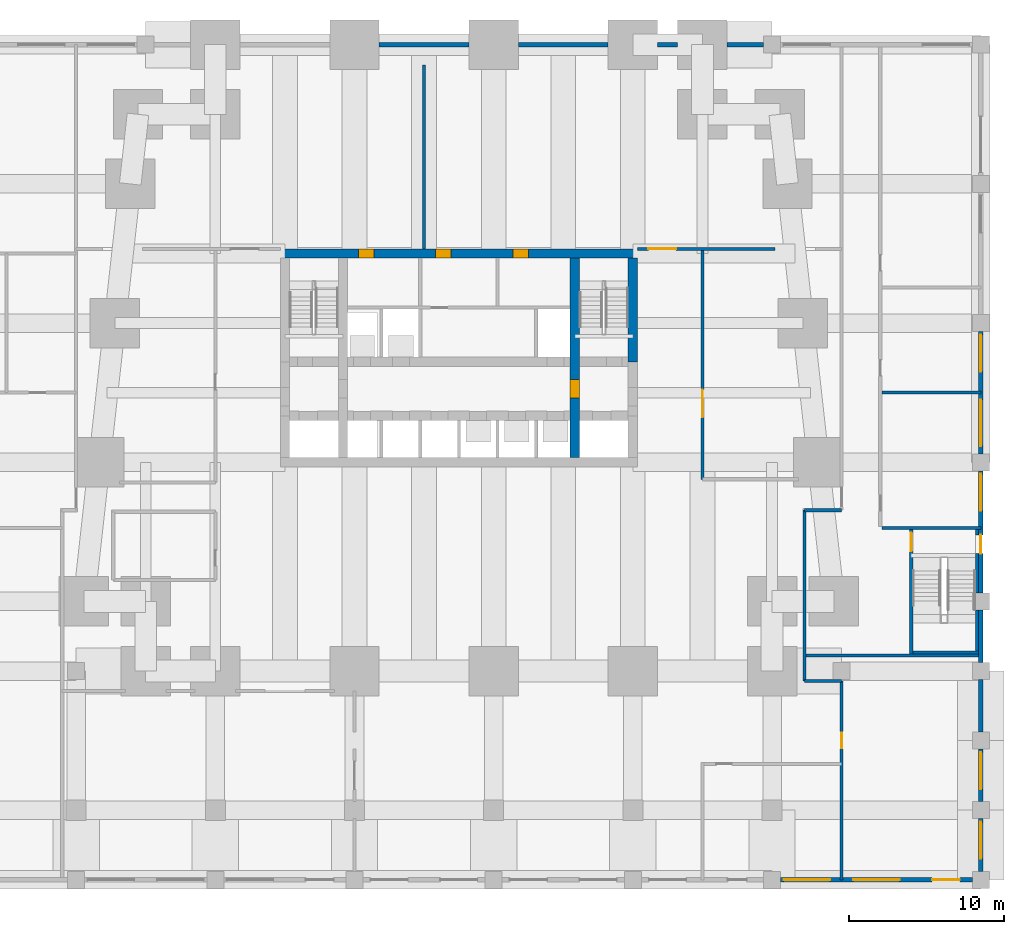
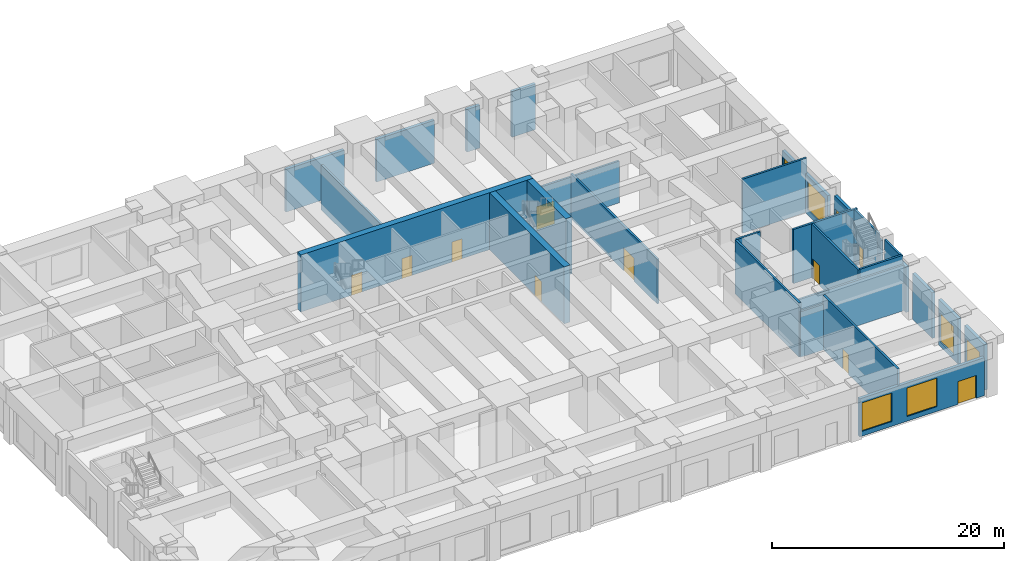
# One storey, part 6 of 13: 28 walls, 10 doors, 7 windows, 18 openings.
"""IFC4 building model written with IfcOpenShell, lengths in metres."""

from ifc_helpers import new_model, si_unit, direction, frame, frame_2d, origin, place, context, subcontext, project, spatial, rectangle, extrude, material, layer, layer_set, type_object, element, fill, save


model = new_model("IFC4")

# Units and contexts
model_context = context("Model", 3, precision=1e-05, world=origin(), true_north=direction((0.0, 1.0)))
body_context = subcontext(model_context, "Body", "Model", "MODEL_VIEW")
ifc_project = project(units=[si_unit("LENGTHUNIT", "METRE"), si_unit("AREAUNIT", "SQUARE_METRE"), si_unit("VOLUMEUNIT", "CUBIC_METRE"), si_unit("PLANEANGLEUNIT", "RADIAN"), si_unit("MASSUNIT", "GRAM", prefix="KILO")], contexts=[model_context])

# Site, building, storey
site_placement = place(None, origin())
site = spatial("IfcSite", under=ifc_project, at=site_placement, CompositionType="ELEMENT")
building_placement = place(site_placement, origin())
building = spatial("IfcBuilding", under=site, at=building_placement, Name="Kilele Tower Hotel", CompositionType="ELEMENT")
storey_placement = place(building_placement, origin())
storey = spatial("IfcBuildingStorey", under=building, at=storey_placement, Name="L00", CompositionType="ELEMENT", Elevation=0.0)

# Wall, openings, doors
ifc_material_1 = material(Name="Concrete C60/75", Category="concrete")
ifc_layer_1 = layer(ifc_material_1, 0.60009765625)
ifc_layer_set_1 = layer_set([ifc_layer_1], Name="Concrete C60/75")
wall_type_1 = type_object("IfcWallType", Name="Core wall 600 C60/75", PredefinedType="SHEAR", material=ifc_layer_set_1)
wall_1_placement = place(storey_placement, frame((36.300048828125, 27.0, 0.0), z_axis=(0.0, 0.0, 1.0), x_axis=(-1.0, 0.0, 0.0)))
wall_1 = element("IfcWall", 1, at=wall_1_placement, inside=storey, type_object=wall_type_1, Name="Core wall N L00", PredefinedType="SHEAR", context=body_context, shape_type="SweptSolid", body=[
    extrude(rectangle(XDim=23.10009765625, YDim=0.60009765625, at=frame_2d((11.550048828125, 0.0))), origin(), (0.0, 0.0, 1.0), 6.0),
])
opening_1_placement = place(wall_1_placement, frame((17.050048828125, 0.0, 0.0)))
opening_1 = element("IfcOpeningElement", 2, at=opening_1_placement, cuts=wall_1, Name="Opening D6", PredefinedType="OPENING", context=body_context, shape_type="SweptSolid", body=[
    extrude(rectangle(XDim=1.0, YDim=2.10009765625, at=frame_2d((0.5, 1.050048828125))), frame((0.0, 0.31005859375, 0.0), z_axis=(0.0, -1.0, 0.0), x_axis=(1.0, 0.0, 0.0)), (0.0, 0.0, 1.0), 0.6201171875),
])
opening_2_placement = place(wall_1_placement, frame((13.050048828125, 0.0, 0.0), z_axis=(0.0, 0.0, 1.0), x_axis=(-1.0, 0.0, 0.0)))
opening_2 = element("IfcOpeningElement", 3, at=opening_2_placement, cuts=wall_1, Name="Opening D6", PredefinedType="OPENING", context=body_context, shape_type="SweptSolid", body=[
    extrude(rectangle(XDim=1.0, YDim=2.10009765625, at=frame_2d((0.5, 1.050048828125))), frame((0.0, 0.31005859375, 0.0), z_axis=(0.0, -1.0, 0.0), x_axis=(1.0, 0.0, 0.0)), (0.0, 0.0, 1.0), 0.6201171875),
])
opening_3_placement = place(wall_1_placement, frame((7.050048828125, 0.0, 0.0)))
opening_3 = element("IfcOpeningElement", 4, at=opening_3_placement, cuts=wall_1, Name="Opening D6", PredefinedType="OPENING", context=body_context, shape_type="SweptSolid", body=[
    extrude(rectangle(XDim=1.0, YDim=2.10009765625, at=frame_2d((0.5, 1.050048828125))), frame((0.0, 0.31005859375, 0.0), z_axis=(0.0, -1.0, 0.0), x_axis=(1.0, 0.0, 0.0)), (0.0, 0.0, 1.0), 0.6201171875),
])
ifc_material_2 = material(Name="Timber door leaf in hardwood frame", Category="wood")
door_type_1 = type_object("IfcDoorType", Name="Riser door 1000", OperationType="SINGLE_SWING_LEFT", PredefinedType="DOOR", material=ifc_material_2)
door_1_placement = place(opening_1_placement, origin())
door_1 = element("IfcDoor", 5, at=door_1_placement, inside=storey, type_object=door_type_1, Name="Service riser door L00", OperationType="SINGLE_SWING_RIGHT", OverallHeight=2.10009765625, OverallWidth=1.0, PredefinedType="DOOR", context=body_context, shape_type="SweptSolid", body=[
    extrude(rectangle(XDim=1.0, YDim=2.10009765625, at=frame_2d((0.5, 1.050048828125))), frame((0.0, 0.2998046875, 0.0), z_axis=(0.0, -1.0, 0.0), x_axis=(1.0, 0.0, 0.0)), (0.0, 0.0, 1.0), 0.599609375),
])
fill(opening_1, door_1)
door_2_placement = place(opening_2_placement, origin())
door_2 = element("IfcDoor", 6, at=door_2_placement, inside=storey, type_object=door_type_1, Name="Housekeeping store door L00", OperationType="SINGLE_SWING_LEFT", OverallHeight=2.10009765625, OverallWidth=1.0, PredefinedType="DOOR", context=body_context, shape_type="SweptSolid", body=[
    extrude(rectangle(XDim=1.0, YDim=2.10009765625, at=frame_2d((0.5, 1.050048828125))), frame((0.0, 0.2998046875, 0.0), z_axis=(0.0, -1.0, 0.0), x_axis=(1.0, 0.0, 0.0)), (0.0, 0.0, 1.0), 0.599609375),
])
fill(opening_2, door_2)
door_3_placement = place(opening_3_placement, origin())
door_3 = element("IfcDoor", 7, at=door_3_placement, inside=storey, type_object=door_type_1, Name="Electrical riser door L00", OperationType="SINGLE_SWING_RIGHT", OverallHeight=2.10009765625, OverallWidth=1.0, PredefinedType="DOOR", context=body_context, shape_type="SweptSolid", body=[
    extrude(rectangle(XDim=1.0, YDim=2.10009765625, at=frame_2d((0.5, 1.050048828125))), frame((0.0, 0.2998046875, 0.0), z_axis=(0.0, -1.0, 0.0), x_axis=(1.0, 0.0, 0.0)), (0.0, 0.0, 1.0), 0.599609375),
])
fill(opening_3, door_3)

# Wall, opening, door
wall_2_placement = place(storey_placement, frame((32.25, 13.800048828125, 0.0), z_axis=(0.0, 0.0, 1.0), x_axis=(0.0, 1.0, 0.0)))
wall_2 = element("IfcWall", 8, at=wall_2_placement, inside=storey, type_object=wall_type_1, Name="Core wall IE L00", PredefinedType="SHEAR", context=body_context, shape_type="SweptSolid", body=[
    extrude(rectangle(XDim=12.89990234375, YDim=0.60009765625, at=frame_2d((6.449951171875, 0.0))), origin(), (0.0, 0.0, 1.0), 6.0),
])
opening_4_placement = place(wall_2_placement, frame((5.050048828125, 0.0, 0.0), z_axis=(0.0, 0.0, 1.0), x_axis=(-1.0, 0.0, 0.0)))
opening_4 = element("IfcOpeningElement", 9, at=opening_4_placement, cuts=wall_2, Name="Opening D4", PredefinedType="OPENING", context=body_context, shape_type="SweptSolid", body=[
    extrude(rectangle(XDim=1.199951171875, YDim=2.10009765625, at=frame_2d((0.60009765625, 1.050048828125))), frame((0.0, 0.31005859375, 0.0), z_axis=(0.0, -1.0, 0.0), x_axis=(1.0, 0.0, 0.0)), (0.0, 0.0, 1.0), 0.6201171875),
])
ifc_material_3 = material(Name="Timber door leaf in hardwood frame", Category="wood")
door_type_2 = type_object("IfcDoorType", Name="Firefighting lobby door 1200", OperationType="SINGLE_SWING_LEFT", PredefinedType="DOOR", material=ifc_material_3)
door_4_placement = place(opening_4_placement, origin())
door_4 = element("IfcDoor", 10, at=door_4_placement, inside=storey, type_object=door_type_2, Name="Lobby door L00", OperationType="SINGLE_SWING_RIGHT", OverallHeight=2.10009765625, OverallWidth=1.199951171875, PredefinedType="DOOR", context=body_context, shape_type="SweptSolid", body=[
    extrude(rectangle(XDim=1.199951171875, YDim=2.10009765625, at=frame_2d((0.60009765625, 1.050048828125))), frame((0.0, 0.2998046875, 0.0), z_axis=(0.0, -1.0, 0.0), x_axis=(1.0, 0.0, 0.0)), (0.0, 0.0, 1.0), 0.599609375),
])
fill(opening_4, door_4)

# Wall
wall_3_placement = place(storey_placement, frame((36.0, 20.0, 0.0), z_axis=(0.0, 0.0, 1.0), x_axis=(0.0, 1.0, 0.0)))
element("IfcWall", 11, at=wall_3_placement, inside=storey, type_object=wall_type_1, Name="Core wall E3 L00", PredefinedType="SHEAR", context=body_context, shape_type="SweptSolid", body=[
    extrude(rectangle(XDim=6.699951171875, YDim=0.60009765625, at=frame_2d((3.35009765625, 0.0))), origin(), (0.0, 0.0, 1.0), 6.0),
])

# Wall, opening, door
ifc_material_4 = material(Name="Blockwork, plastered both sides", Category="masonry")
ifc_layer_2 = layer(ifc_material_4, 0.199951171875)
ifc_layer_set_2 = layer_set([ifc_layer_2], Name="Blockwork, plastered both sides")
wall_type_2 = type_object("IfcWallType", Name="Partition wall 200", PredefinedType="PARTITIONING", material=ifc_layer_set_2)
wall_4_placement = place(storey_placement, frame((49.5, -13.5, 0.0), z_axis=(0.0, 0.0, 1.0), x_axis=(0.0, 1.0, 0.0)))
wall_4 = element("IfcWall", 12, at=wall_4_placement, inside=storey, type_object=wall_type_2, Name="Partition wall 200 L00", PredefinedType="PARTITIONING", context=body_context, shape_type="SweptSolid", body=[
    extrude(rectangle(XDim=12.85009765625, YDim=0.199951171875, at=frame_2d((6.425048828125, 0.0))), origin(), (0.0, 0.0, 1.0), 5.699951171875),
])
opening_5_placement = place(wall_4_placement, frame((9.5, 0.0, 0.0), z_axis=(0.0, 0.0, 1.0), x_axis=(-1.0, 0.0, 0.0)))
opening_5 = element("IfcOpeningElement", 13, at=opening_5_placement, cuts=wall_4, Name="Opening D8", PredefinedType="OPENING", context=body_context, shape_type="SweptSolid", body=[
    extrude(rectangle(XDim=1.0, YDim=2.10009765625, at=frame_2d((0.5, 1.050048828125))), frame((0.0, 0.10986328125, 0.0), z_axis=(0.0, -1.0, 0.0), x_axis=(1.0, 0.0, 0.0)), (0.0, 0.0, 1.0), 0.219970703125),
])
ifc_material_5 = material(Name="Timber door leaf in hardwood frame", Category="wood")
door_type_3 = type_object("IfcDoorType", Name="Door 1000", OperationType="SINGLE_SWING_LEFT", PredefinedType="DOOR", material=ifc_material_5)
door_5_placement = place(opening_5_placement, origin())
door_5 = element("IfcDoor", 14, at=door_5_placement, inside=storey, type_object=door_type_3, Name="Door retail shop", OperationType="SINGLE_SWING_LEFT", OverallHeight=2.10009765625, OverallWidth=1.0, PredefinedType="DOOR", context=body_context, shape_type="SweptSolid", body=[
    extrude(rectangle(XDim=1.0, YDim=2.10009765625, at=frame_2d((0.5, 1.050048828125))), frame((0.0, 0.02490234375, 0.0), z_axis=(0.0, -1.0, 0.0), x_axis=(1.0, 0.0, 0.0)), (0.0, 0.0, 1.0), 0.050048828125),
])
fill(opening_5, door_5)

# Walls
wall_5_placement = place(storey_placement, frame((47.10009765625, -0.64990234375, 0.0), z_axis=(0.0, 0.0, 1.0), x_axis=(1.0, 0.0, 0.0)))
element("IfcWall", 15, at=wall_5_placement, inside=storey, type_object=wall_type_2, Name="Partition wall 200 L00", PredefinedType="PARTITIONING", context=body_context, shape_type="SweptSolid", body=[
    extrude(rectangle(XDim=2.39990234375, YDim=0.199951171875, at=frame_2d((1.199951171875, 0.0))), origin(), (0.0, 0.0, 1.0), 4.800048828125),
])
wall_6_placement = place(storey_placement, frame((47.10009765625, -0.64990234375, 0.0), z_axis=(0.0, 0.0, 1.0), x_axis=(0.0, 1.0, 0.0)))
element("IfcWall", 16, at=wall_6_placement, inside=storey, type_object=wall_type_2, Name="Partition wall 200 L00", PredefinedType="PARTITIONING", context=body_context, shape_type="SweptSolid", body=[
    extrude(rectangle(XDim=11.0498046875, YDim=0.199951171875, at=frame_2d((5.52490234375, 0.0))), origin(), (0.0, 0.0, 1.0), 5.699951171875),
])
wall_7_placement = place(storey_placement, frame((47.10009765625, 10.39990234375, 0.0), z_axis=(0.0, 0.0, 1.0), x_axis=(1.0, 0.0, 0.0)))
element("IfcWall", 17, at=wall_7_placement, inside=storey, type_object=wall_type_2, Name="Partition wall 200 L00", PredefinedType="PARTITIONING", context=body_context, shape_type="SweptSolid", body=[
    extrude(rectangle(XDim=2.39990234375, YDim=0.199951171875, at=frame_2d((1.199951171875, 0.0))), origin(), (0.0, 0.0, 1.0), 5.699951171875),
])

# Wall, opening, door
wall_8_placement = place(storey_placement, frame((36.300048828125, 27.300048828125, 0.0), z_axis=(0.0, 0.0, 1.0), x_axis=(1.0, 0.0, 0.0)))
wall_8 = element("IfcWall", 18, at=wall_8_placement, inside=storey, type_object=wall_type_2, Name="Partition wall 200 L00", PredefinedType="PARTITIONING", context=body_context, shape_type="SweptSolid", body=[
    extrude(rectangle(XDim=8.89990234375, YDim=0.199951171875, at=frame_2d((4.449951171875, 0.0))), origin(), (0.0, 0.0, 1.0), 4.39990234375),
])
opening_6_placement = place(wall_8_placement, frame((2.5, 0.0, 0.0), z_axis=(0.0, 0.0, 1.0), x_axis=(-1.0, 0.0, 0.0)))
opening_6 = element("IfcOpeningElement", 19, at=opening_6_placement, cuts=wall_8, Name="Opening D9", PredefinedType="OPENING", context=body_context, shape_type="SweptSolid", body=[
    extrude(rectangle(XDim=1.800048828125, YDim=2.39990234375, at=frame_2d((0.89990234375, 1.199951171875))), frame((0.0, 0.10986328125, 0.0), z_axis=(0.0, -1.0, 0.0), x_axis=(1.0, 0.0, 0.0)), (0.0, 0.0, 1.0), 0.219970703125),
])
ifc_material_6 = material(Name="Timber door leaf in hardwood frame", Category="wood")
door_type_4 = type_object("IfcDoorType", Name="Double door 1800", OperationType="DOUBLE_DOOR_SINGLE_SWING", PredefinedType="DOOR", material=ifc_material_6)
door_6_placement = place(opening_6_placement, origin())
door_6 = element("IfcDoor", 20, at=door_6_placement, inside=storey, type_object=door_type_4, Name="Door tea lounge", OperationType="DOUBLE_DOOR_SINGLE_SWING", OverallHeight=2.39990234375, OverallWidth=1.800048828125, PredefinedType="DOOR", context=body_context, shape_type="SweptSolid", body=[
    extrude(rectangle(XDim=1.800048828125, YDim=2.39990234375, at=frame_2d((0.89990234375, 1.199951171875))), frame((0.0, 0.02490234375, 0.0), z_axis=(0.0, -1.0, 0.0), x_axis=(1.0, 0.0, 0.0)), (0.0, 0.0, 1.0), 0.050048828125),
])
fill(opening_6, door_6)

# Wall
wall_9_placement = place(storey_placement, frame((22.5, 27.300048828125, 0.0), z_axis=(0.0, 0.0, 1.0), x_axis=(0.0, 1.0, 0.0)))
element("IfcWall", 21, at=wall_9_placement, inside=storey, type_object=wall_type_2, Name="Partition wall 200 L00", PredefinedType="PARTITIONING", context=body_context, shape_type="SweptSolid", body=[
    extrude(rectangle(XDim=11.89990234375, YDim=0.199951171875, at=frame_2d((5.949951171875, 0.0))), origin(), (0.0, 0.0, 1.0), 4.699951171875),
])

# Wall, opening, door
wall_10_placement = place(storey_placement, frame((40.5, 12.39990234375, 0.0), z_axis=(0.0, 0.0, 1.0), x_axis=(0.0, 1.0, 0.0)))
wall_10 = element("IfcWall", 22, at=wall_10_placement, inside=storey, type_object=wall_type_2, Name="Partition wall 200 L00", PredefinedType="PARTITIONING", context=body_context, shape_type="SweptSolid", body=[
    extrude(rectangle(XDim=14.900146484375, YDim=0.199951171875, at=frame_2d((7.4501953125, 0.0))), origin(), (0.0, 0.0, 1.0), 4.699951171875),
])
opening_7_placement = place(wall_10_placement, frame((4.0, 0.0, 0.0)))
opening_7 = element("IfcOpeningElement", 23, at=opening_7_placement, cuts=wall_10, Name="Opening D9", PredefinedType="OPENING", context=body_context, shape_type="SweptSolid", body=[
    extrude(rectangle(XDim=1.800048828125, YDim=2.39990234375, at=frame_2d((0.89990234375, 1.199951171875))), frame((0.0, 0.10986328125, 0.0), z_axis=(0.0, -1.0, 0.0), x_axis=(1.0, 0.0, 0.0)), (0.0, 0.0, 1.0), 0.219970703125),
])
door_7_placement = place(opening_7_placement, origin())
door_7 = element("IfcDoor", 24, at=door_7_placement, inside=storey, type_object=door_type_4, Name="Door wine bar", OperationType="DOUBLE_DOOR_SINGLE_SWING", OverallHeight=2.39990234375, OverallWidth=1.800048828125, PredefinedType="DOOR", context=body_context, shape_type="SweptSolid", body=[
    extrude(rectangle(XDim=1.800048828125, YDim=2.39990234375, at=frame_2d((0.89990234375, 1.199951171875))), frame((0.0, 0.02490234375, 0.0), z_axis=(0.0, -1.0, 0.0), x_axis=(1.0, 0.0, 0.0)), (0.0, 0.0, 1.0), 0.050048828125),
])
fill(opening_7, door_7)

# Walls
wall_11_placement = place(storey_placement, frame((47.10009765625, 1.0, 0.0), z_axis=(0.0, 0.0, 1.0), x_axis=(1.0, 0.0, 0.0)))
element("IfcWall", 25, at=wall_11_placement, inside=storey, type_object=wall_type_2, Name="Partition wall 200 L00", PredefinedType="PARTITIONING", context=body_context, shape_type="SweptSolid", body=[
    extrude(rectangle(XDim=11.39990234375, YDim=0.199951171875, at=frame_2d((5.699951171875, 0.0))), origin(), (0.0, 0.0, 1.0), 4.800048828125),
])
wall_12_placement = place(storey_placement, frame((52.10009765625, 18.0, 0.0), z_axis=(0.0, 0.0, 1.0), x_axis=(1.0, 0.0, 0.0)))
element("IfcWall", 26, at=wall_12_placement, inside=storey, type_object=wall_type_2, Name="Partition wall 200 L00", PredefinedType="PARTITIONING", context=body_context, shape_type="SweptSolid", body=[
    extrude(rectangle(XDim=6.39990234375, YDim=0.199951171875, at=frame_2d((3.199951171875, 0.0))), origin(), (0.0, 0.0, 1.0), 5.699951171875),
])

# Wall, openings, door, windows
ifc_material_7 = material(Name="Concrete C40/50 precast", Category="concrete")
ifc_layer_3 = layer(ifc_material_7, 0.260009765625, Name="Precast backing", Category="LoadBearing")
ifc_material_8 = material(Name="Reconstituted stone finish", Category="masonry")
ifc_layer_4 = layer(ifc_material_8, 0.0400390625, Name="Face mix", Category="Finish")
ifc_layer_set_3 = layer_set([ifc_layer_3, ifc_layer_4], Name="Precast concrete C40/50, reconstituted stone finish")
wall_type_3 = type_object("IfcWallType", Name="Precast stone facade wall 300", PredefinedType="STANDARD", material=ifc_layer_set_3)
wall_13_placement = place(storey_placement, frame((45.550048828125, -13.5, 0.0), z_axis=(0.0, 0.0, 1.0), x_axis=(1.0, 0.0, 0.0)))
wall_13 = element("IfcWall", 27, at=wall_13_placement, inside=storey, type_object=wall_type_3, Name="Podium wall L00 S", PredefinedType="STANDARD", context=body_context, shape_type="SweptSolid", body=[
    extrude(rectangle(XDim=12.39990234375, YDim=0.300048828125, at=frame_2d((6.199951171875, 0.0))), origin(), (0.0, 0.0, 1.0), 4.0),
])
opening_8_placement = place(wall_13_placement, frame((11.60009765625, 0.0, 0.0), z_axis=(0.0, 0.0, 1.0), x_axis=(-1.0, 0.0, 0.0)))
opening_8 = element("IfcOpeningElement", 28, at=opening_8_placement, cuts=wall_13, Name="Opening ED4", PredefinedType="OPENING", context=body_context, shape_type="SweptSolid", body=[
    extrude(rectangle(XDim=1.800048828125, YDim=2.39990234375, at=frame_2d((0.89990234375, 1.199951171875))), frame((0.0, 0.159912109375, 0.0), z_axis=(0.0, -1.0, 0.0), x_axis=(1.0, 0.0, 0.0)), (0.0, 0.0, 1.0), 0.320068359375),
])
opening_9_placement = place(wall_13_placement, frame((0.199951171875, 0.0, 0.5)))
opening_9 = element("IfcOpeningElement", 29, at=opening_9_placement, cuts=wall_13, Name="Opening W5", PredefinedType="OPENING", context=body_context, shape_type="SweptSolid", body=[
    extrude(rectangle(XDim=3.0, YDim=3.0, at=frame_2d((1.5, 1.5))), frame((0.0, 0.159912109375, 0.0), z_axis=(0.0, -1.0, 0.0), x_axis=(1.0, 0.0, 0.0)), (0.0, 0.0, 1.0), 0.320068359375),
])
opening_10_placement = place(wall_13_placement, frame((4.699951171875, 0.0, 0.5)))
opening_10 = element("IfcOpeningElement", 30, at=opening_10_placement, cuts=wall_13, Name="Opening W5", PredefinedType="OPENING", context=body_context, shape_type="SweptSolid", body=[
    extrude(rectangle(XDim=3.0, YDim=3.0, at=frame_2d((1.5, 1.5))), frame((0.0, 0.159912109375, 0.0), z_axis=(0.0, -1.0, 0.0), x_axis=(1.0, 0.0, 0.0)), (0.0, 0.0, 1.0), 0.320068359375),
])
ifc_material_9 = material(Name="Aluminium frame, clear glazing", Category="aluminium")
door_type_5 = type_object("IfcDoorType", Name="Shop door 1800", OperationType="DOUBLE_DOOR_SINGLE_SWING", PredefinedType="DOOR", material=ifc_material_9)
door_8_placement = place(opening_8_placement, origin())
door_8 = element("IfcDoor", 31, at=door_8_placement, inside=storey, type_object=door_type_5, Name="Shop door", OperationType="DOUBLE_DOOR_SINGLE_SWING", OverallHeight=2.39990234375, OverallWidth=1.800048828125, PredefinedType="DOOR", context=body_context, shape_type="SweptSolid", body=[
    extrude(rectangle(XDim=1.800048828125, YDim=2.39990234375, at=frame_2d((0.89990234375, 1.199951171875))), frame((0.0, 0.02490234375, 0.0), z_axis=(0.0, -1.0, 0.0), x_axis=(1.0, 0.0, 0.0)), (0.0, 0.0, 1.0), 0.050048828125),
])
fill(opening_8, door_8)
ifc_material_10 = material(Name="Aluminium frame, clear double glazing", Category="aluminium")
window_type_1 = type_object("IfcWindowType", Name="Window W5 3000 x 3000", PartitioningType="SINGLE_PANEL", PredefinedType="WINDOW", material=ifc_material_10)
window_1_placement = place(opening_9_placement, origin())
window_1 = element("IfcWindow", 32, at=window_1_placement, inside=storey, type_object=window_type_1, Name="Shopfront window L00", OverallHeight=3.0, OverallWidth=3.0, PartitioningType="SINGLE_PANEL", PredefinedType="WINDOW", context=body_context, shape_type="SweptSolid", body=[
    extrude(rectangle(XDim=3.0, YDim=3.0, at=frame_2d((1.5, 1.5))), frame((0.0, 0.030029296875, 0.0), z_axis=(0.0, -1.0, 0.0), x_axis=(1.0, 0.0, 0.0)), (0.0, 0.0, 1.0), 0.06005859375),
])
fill(opening_9, window_1)
window_2_placement = place(opening_10_placement, origin())
window_2 = element("IfcWindow", 33, at=window_2_placement, inside=storey, type_object=window_type_1, Name="Shopfront window L00", OverallHeight=3.0, OverallWidth=3.0, PartitioningType="SINGLE_PANEL", PredefinedType="WINDOW", context=body_context, shape_type="SweptSolid", body=[
    extrude(rectangle(XDim=3.0, YDim=3.0, at=frame_2d((1.5, 1.5))), frame((0.0, 0.030029296875, 0.0), z_axis=(0.0, -1.0, 0.0), x_axis=(1.0, 0.0, 0.0)), (0.0, 0.0, 1.0), 0.06005859375),
])
fill(opening_10, window_2)

# Wall, opening, window
wall_14_placement = place(storey_placement, frame((58.5, -12.949951171875, 0.0), z_axis=(0.0, 0.0, 1.0), x_axis=(0.0, 1.0, 0.0)))
wall_14 = element("IfcWall", 34, at=wall_14_placement, inside=storey, type_object=wall_type_3, Name="Podium wall L00 E", PredefinedType="STANDARD", context=body_context, shape_type="SweptSolid", body=[
    extrude(rectangle(XDim=3.39990234375, YDim=0.300048828125, at=frame_2d((1.699951171875, 0.0))), origin(), (0.0, 0.0, 1.0), 4.800048828125),
])
opening_11_placement = place(wall_14_placement, frame((0.800048828125, 0.0, 0.5)))
opening_11 = element("IfcOpeningElement", 35, at=opening_11_placement, cuts=wall_14, Name="Opening W5", PredefinedType="OPENING", context=body_context, shape_type="SweptSolid", body=[
    extrude(rectangle(XDim=2.39990234375, YDim=3.0, at=frame_2d((1.199951171875, 1.5))), frame((0.0, 0.159912109375, 0.0), z_axis=(0.0, -1.0, 0.0), x_axis=(1.0, 0.0, 0.0)), (0.0, 0.0, 1.0), 0.320068359375),
])
ifc_material_11 = material(Name="Aluminium frame, clear double glazing", Category="aluminium")
window_type_2 = type_object("IfcWindowType", Name="Window W5 2400 x 3000", PartitioningType="SINGLE_PANEL", PredefinedType="WINDOW", material=ifc_material_11)
window_3_placement = place(opening_11_placement, origin())
window_3 = element("IfcWindow", 36, at=window_3_placement, inside=storey, type_object=window_type_2, Name="Shopfront window L00", OverallHeight=3.0, OverallWidth=2.39990234375, PartitioningType="SINGLE_PANEL", PredefinedType="WINDOW", context=body_context, shape_type="SweptSolid", body=[
    extrude(rectangle(XDim=2.39990234375, YDim=3.0, at=frame_2d((1.199951171875, 1.5))), frame((0.0, 0.030029296875, 0.0), z_axis=(0.0, -1.0, 0.0), x_axis=(1.0, 0.0, 0.0)), (0.0, 0.0, 1.0), 0.06005859375),
])
fill(opening_11, window_3)

wall_15_placement = place(storey_placement, frame((58.5, -8.449951171875, 0.0), z_axis=(0.0, 0.0, 1.0), x_axis=(0.0, 1.0, 0.0)))
wall_15 = element("IfcWall", 37, at=wall_15_placement, inside=storey, type_object=wall_type_3, Name="Podium wall L00 E", PredefinedType="STANDARD", context=body_context, shape_type="SweptSolid", body=[
    extrude(rectangle(XDim=3.39990234375, YDim=0.300048828125, at=frame_2d((1.699951171875, 0.0))), origin(), (0.0, 0.0, 1.0), 4.800048828125),
])
opening_12_placement = place(wall_15_placement, frame((0.800048828125, 0.0, 0.5)))
opening_12 = element("IfcOpeningElement", 38, at=opening_12_placement, cuts=wall_15, Name="Opening W5", PredefinedType="OPENING", context=body_context, shape_type="SweptSolid", body=[
    extrude(rectangle(XDim=2.39990234375, YDim=3.0, at=frame_2d((1.199951171875, 1.5))), frame((0.0, 0.159912109375, 0.0), z_axis=(0.0, -1.0, 0.0), x_axis=(1.0, 0.0, 0.0)), (0.0, 0.0, 1.0), 0.320068359375),
])
window_4_placement = place(opening_12_placement, origin())
window_4 = element("IfcWindow", 39, at=window_4_placement, inside=storey, type_object=window_type_2, Name="Shopfront window L00", OverallHeight=3.0, OverallWidth=2.39990234375, PartitioningType="SINGLE_PANEL", PredefinedType="WINDOW", context=body_context, shape_type="SweptSolid", body=[
    extrude(rectangle(XDim=2.39990234375, YDim=3.0, at=frame_2d((1.199951171875, 1.5))), frame((0.0, 0.030029296875, 0.0), z_axis=(0.0, -1.0, 0.0), x_axis=(1.0, 0.0, 0.0)), (0.0, 0.0, 1.0), 0.06005859375),
])
fill(opening_12, window_4)

# Walls
for number, where, z_axis, x_axis, name in (
    (40, (58.5, -3.949951171875, 0.0), (0.0, 0.0, 1.0), (0.0, 1.0, 0.0), "Podium wall L00 E"),
    (41, (58.5, 0.550048828125, 0.0), (0.0, 0.0, 1.0), (0.0, 1.0, 0.0), "Podium wall L00 E"),
):
    element("IfcWall", number, at=place(storey_placement, frame(where, z_axis=z_axis, x_axis=x_axis)), inside=storey, type_object=wall_type_3, Name=name, PredefinedType="STANDARD", context=body_context, shape_type="SweptSolid", body=[
        extrude(rectangle(XDim=3.39990234375, YDim=0.300048828125, at=frame_2d((1.699951171875, 0.0))), origin(), (0.0, 0.0, 1.0), 4.800048828125),
    ])

# Wall, openings, door, window
wall_16_placement = place(storey_placement, frame((58.5, 5.050048828125, 0.0), z_axis=(0.0, 0.0, 1.0), x_axis=(0.0, 1.0, 0.0)))
wall_16 = element("IfcWall", 42, at=wall_16_placement, inside=storey, type_object=wall_type_3, Name="Podium wall L00 E", PredefinedType="STANDARD", context=body_context, shape_type="SweptSolid", body=[
    extrude(rectangle(XDim=7.89990234375, YDim=0.300048828125, at=frame_2d((3.949951171875, 0.0))), origin(), (0.0, 0.0, 1.0), 4.800048828125),
])
opening_13_placement = place(wall_16_placement, frame((3.75, 0.0, 0.0), z_axis=(0.0, 0.0, 1.0), x_axis=(-1.0, 0.0, 0.0)))
opening_13 = element("IfcOpeningElement", 43, at=opening_13_placement, cuts=wall_16, Name="Opening ED2", PredefinedType="OPENING", context=body_context, shape_type="SweptSolid", body=[
    extrude(rectangle(XDim=1.199951171875, YDim=2.39990234375, at=frame_2d((0.60009765625, 1.199951171875))), frame((0.0, 0.159912109375, 0.0), z_axis=(0.0, -1.0, 0.0), x_axis=(1.0, 0.0, 0.0)), (0.0, 0.0, 1.0), 0.320068359375),
])
opening_14_placement = place(wall_16_placement, frame((5.300048828125, 0.0, 0.5)))
opening_14 = element("IfcOpeningElement", 44, at=opening_14_placement, cuts=wall_16, Name="Opening W5", PredefinedType="OPENING", context=body_context, shape_type="SweptSolid", body=[
    extrude(rectangle(XDim=2.39990234375, YDim=3.0, at=frame_2d((1.199951171875, 1.5))), frame((0.0, 0.159912109375, 0.0), z_axis=(0.0, -1.0, 0.0), x_axis=(1.0, 0.0, 0.0)), (0.0, 0.0, 1.0), 0.320068359375),
])
ifc_material_12 = material(Name="Aluminium frame, clear glazing", Category="aluminium")
door_type_6 = type_object("IfcDoorType", Name="Exit door 1200", OperationType="SINGLE_SWING_LEFT", PredefinedType="DOOR", material=ifc_material_12)
door_9_placement = place(opening_13_placement, origin())
door_9 = element("IfcDoor", 45, at=door_9_placement, inside=storey, type_object=door_type_6, Name="Exit door", OperationType="SINGLE_SWING_RIGHT", OverallHeight=2.39990234375, OverallWidth=1.199951171875, PredefinedType="DOOR", context=body_context, shape_type="SweptSolid", body=[
    extrude(rectangle(XDim=1.199951171875, YDim=2.39990234375, at=frame_2d((0.60009765625, 1.199951171875))), frame((0.0, 0.02490234375, 0.0), z_axis=(0.0, -1.0, 0.0), x_axis=(1.0, 0.0, 0.0)), (0.0, 0.0, 1.0), 0.050048828125),
])
fill(opening_13, door_9)
window_5_placement = place(opening_14_placement, origin())
window_5 = element("IfcWindow", 46, at=window_5_placement, inside=storey, type_object=window_type_2, Name="Shopfront window L00", OverallHeight=3.0, OverallWidth=2.39990234375, PartitioningType="SINGLE_PANEL", PredefinedType="WINDOW", context=body_context, shape_type="SweptSolid", body=[
    extrude(rectangle(XDim=2.39990234375, YDim=3.0, at=frame_2d((1.199951171875, 1.5))), frame((0.0, 0.030029296875, 0.0), z_axis=(0.0, -1.0, 0.0), x_axis=(1.0, 0.0, 0.0)), (0.0, 0.0, 1.0), 0.06005859375),
])
fill(opening_14, window_5)

# Wall, openings, windows
wall_17_placement = place(storey_placement, frame((58.5, 14.050048828125, 0.0), z_axis=(0.0, 0.0, 1.0), x_axis=(0.0, 1.0, 0.0)))
wall_17 = element("IfcWall", 47, at=wall_17_placement, inside=storey, type_object=wall_type_3, Name="Podium wall L00 E", PredefinedType="STANDARD", context=body_context, shape_type="SweptSolid", body=[
    extrude(rectangle(XDim=7.89990234375, YDim=0.300048828125, at=frame_2d((3.949951171875, 0.0))), origin(), (0.0, 0.0, 1.0), 4.10009765625),
])
opening_15_placement = place(wall_17_placement, frame((0.5, 0.0, 0.5)))
opening_15 = element("IfcOpeningElement", 48, at=opening_15_placement, cuts=wall_17, Name="Opening W5", PredefinedType="OPENING", context=body_context, shape_type="SweptSolid", body=[
    extrude(rectangle(XDim=3.0, YDim=3.0, at=frame_2d((1.5, 1.5))), frame((0.0, 0.159912109375, 0.0), z_axis=(0.0, -1.0, 0.0), x_axis=(1.0, 0.0, 0.0)), (0.0, 0.0, 1.0), 0.320068359375),
])
opening_16_placement = place(wall_17_placement, frame((5.300048828125, 0.0, 0.5)))
opening_16 = element("IfcOpeningElement", 49, at=opening_16_placement, cuts=wall_17, Name="Opening W5", PredefinedType="OPENING", context=body_context, shape_type="SweptSolid", body=[
    extrude(rectangle(XDim=2.39990234375, YDim=3.0, at=frame_2d((1.199951171875, 1.5))), frame((0.0, 0.159912109375, 0.0), z_axis=(0.0, -1.0, 0.0), x_axis=(1.0, 0.0, 0.0)), (0.0, 0.0, 1.0), 0.320068359375),
])
window_6_placement = place(opening_16_placement, origin())
window_6 = element("IfcWindow", 50, at=window_6_placement, inside=storey, type_object=window_type_2, Name="Shopfront window L00", OverallHeight=3.0, OverallWidth=2.39990234375, PartitioningType="SINGLE_PANEL", PredefinedType="WINDOW", context=body_context, shape_type="SweptSolid", body=[
    extrude(rectangle(XDim=2.39990234375, YDim=3.0, at=frame_2d((1.199951171875, 1.5))), frame((0.0, 0.030029296875, 0.0), z_axis=(0.0, -1.0, 0.0), x_axis=(1.0, 0.0, 0.0)), (0.0, 0.0, 1.0), 0.06005859375),
])
fill(opening_16, window_6)
window_7_placement = place(opening_15_placement, origin())
window_7 = element("IfcWindow", 51, at=window_7_placement, inside=storey, type_object=window_type_1, Name="Shopfront window L00", OverallHeight=3.0, OverallWidth=3.0, PartitioningType="SINGLE_PANEL", PredefinedType="WINDOW", context=body_context, shape_type="SweptSolid", body=[
    extrude(rectangle(XDim=3.0, YDim=3.0, at=frame_2d((1.5, 1.5))), frame((0.0, 0.030029296875, 0.0), z_axis=(0.0, -1.0, 0.0), x_axis=(1.0, 0.0, 0.0)), (0.0, 0.0, 1.0), 0.06005859375),
])
fill(opening_15, window_7)

# Walls
wall_18_placement = place(storey_placement, frame((44.449951171875, 40.5, 0.0), z_axis=(0.0, 0.0, 1.0), x_axis=(-1.0, 0.0, 0.0)))
element("IfcWall", 52, at=wall_18_placement, inside=storey, type_object=wall_type_3, Name="Podium wall L00 N", PredefinedType="STANDARD", context=body_context, shape_type="SweptSolid", body=[
    extrude(rectangle(XDim=2.349853515625, YDim=0.300048828125, at=frame_2d((1.1748046875, 0.0))), origin(), (0.0, 0.0, 1.0), 4.800048828125),
])
wall_19_placement = place(storey_placement, frame((38.89990234375, 40.5, 0.0), z_axis=(0.0, 0.0, 1.0), x_axis=(-1.0, 0.0, 0.0)))
element("IfcWall", 53, at=wall_19_placement, inside=storey, type_object=wall_type_3, Name="Podium wall L00 N", PredefinedType="STANDARD", context=body_context, shape_type="SweptSolid", body=[
    extrude(rectangle(XDim=1.2998046875, YDim=0.300048828125, at=frame_2d((0.64990234375, 0.0))), origin(), (0.0, 0.0, 1.0), 4.5),
])
for number, where, z_axis, x_axis, name in (
    (54, (34.39990234375, 40.5, 0.0), (0.0, 0.0, 1.0), (-1.0, 0.0, 0.0), "Podium wall L00 N"),
    (55, (25.39990234375, 40.5, 0.0), (0.0, 0.0, 1.0), (-1.0, 0.0, 0.0), "Podium wall L00 N"),
):
    element("IfcWall", number, at=place(storey_placement, frame(where, z_axis=z_axis, x_axis=x_axis)), inside=storey, type_object=wall_type_3, Name=name, PredefinedType="STANDARD", context=body_context, shape_type="SweptSolid", body=[
        extrude(rectangle(XDim=5.7998046875, YDim=0.300048828125, at=frame_2d((2.89990234375, 0.0))), origin(), (0.0, 0.0, 1.0), 4.5),
    ])

# Wall, opening, door
ifc_material_13 = material(Name="Concrete C40/50", Category="concrete")
ifc_layer_5 = layer(ifc_material_13, 0.199951171875)
ifc_layer_set_4 = layer_set([ifc_layer_5], Name="Concrete C40/50")
wall_type_4 = type_object("IfcWallType", Name="Stair wall RC 200 C40/50", PredefinedType="SOLIDWALL", material=ifc_layer_set_4)
wall_20_placement = place(storey_placement, frame((54.0, 1.10009765625, 0.0), z_axis=(0.0, 0.0, 1.0), x_axis=(0.0, 1.0, 0.0)))
wall_20 = element("IfcWall", 56, at=wall_20_placement, inside=storey, type_object=wall_type_4, Name="Stair wall RC 200 C40/50 L00", PredefinedType="SOLIDWALL", context=body_context, shape_type="SweptSolid", body=[
    extrude(rectangle(XDim=8.0498046875, YDim=0.199951171875, at=frame_2d((4.02490234375, 0.0))), origin(), (0.0, 0.0, 1.0), 5.699951171875),
])
opening_17_placement = place(wall_20_placement, frame((7.849853515625, 0.0, 0.0), z_axis=(0.0, 0.0, 1.0), x_axis=(-1.0, 0.0, 0.0)))
opening_17 = element("IfcOpeningElement", 57, at=opening_17_placement, cuts=wall_20, Name="Opening D5A", PredefinedType="OPENING", context=body_context, shape_type="SweptSolid", body=[
    extrude(rectangle(XDim=1.199951171875, YDim=2.10009765625, at=frame_2d((0.60009765625, 1.050048828125))), frame((0.0, 0.10986328125, 0.0), z_axis=(0.0, -1.0, 0.0), x_axis=(1.0, 0.0, 0.0)), (0.0, 0.0, 1.0), 0.219970703125),
])
ifc_material_14 = material(Name="Timber door leaf in hardwood frame", Category="wood")
door_type_7 = type_object("IfcDoorType", Name="Stair door 1200", OperationType="SINGLE_SWING_LEFT", PredefinedType="DOOR", material=ifc_material_14)
door_10_placement = place(opening_17_placement, origin())
door_10 = element("IfcDoor", 58, at=door_10_placement, inside=storey, type_object=door_type_7, Name="Stair 5 door", OperationType="SINGLE_SWING_LEFT", OverallHeight=2.10009765625, OverallWidth=1.199951171875, PredefinedType="DOOR", context=body_context, shape_type="SweptSolid", body=[
    extrude(rectangle(XDim=1.199951171875, YDim=2.10009765625, at=frame_2d((0.60009765625, 1.050048828125))), frame((0.0, 0.02490234375, 0.0), z_axis=(0.0, -1.0, 0.0), x_axis=(1.0, 0.0, 0.0)), (0.0, 0.0, 1.0), 0.050048828125),
])
fill(opening_17, door_10)

# Walls
wall_21_placement = place(storey_placement, frame((52.10009765625, 9.25, 0.0), z_axis=(0.0, 0.0, 1.0), x_axis=(1.0, 0.0, 0.0)))
element("IfcWall", 59, at=wall_21_placement, inside=storey, type_object=wall_type_4, Name="Stair wall RC 200 C40/50 L00", PredefinedType="SOLIDWALL", context=body_context, shape_type="SweptSolid", body=[
    extrude(rectangle(XDim=6.39990234375, YDim=0.199951171875, at=frame_2d((3.199951171875, 0.0))), origin(), (0.0, 0.0, 1.0), 5.699951171875),
])
wall_22_placement = place(storey_placement, frame((54.10009765625, 1.199951171875, 0.0), z_axis=(0.0, 0.0, 1.0), x_axis=(1.0, 0.0, 0.0)))
element("IfcWall", 60, at=wall_22_placement, inside=storey, type_object=wall_type_4, Name="Stair wall RC 200 C40/50 L00", PredefinedType="SOLIDWALL", context=body_context, shape_type="SweptSolid", body=[
    extrude(rectangle(XDim=4.25, YDim=0.199951171875, at=frame_2d((2.125, 0.0))), origin(), (0.0, 0.0, 1.0), 5.699951171875),
])
wall_23_placement = place(storey_placement, frame((58.25, 1.300048828125, 0.0), z_axis=(0.0, 0.0, 1.0), x_axis=(0.0, 1.0, 0.0)))
element("IfcWall", 61, at=wall_23_placement, inside=storey, type_object=wall_type_4, Name="Stair wall RC 200 C40/50 L00", PredefinedType="SOLIDWALL", context=body_context, shape_type="SweptSolid", body=[
    extrude(rectangle(XDim=2.64990234375, YDim=0.199951171875, at=frame_2d((1.324951171875, 0.0))), origin(), (0.0, 0.0, 1.0), 5.699951171875),
])

# Wall, opening
wall_24_placement = place(storey_placement, frame((58.25, 5.050048828125, 0.0), z_axis=(0.0, 0.0, 1.0), x_axis=(0.0, 1.0, 0.0)))
wall_24 = element("IfcWall", 62, at=wall_24_placement, inside=storey, type_object=wall_type_4, Name="Stair wall RC 200 C40/50 L00", PredefinedType="SOLIDWALL", context=body_context, shape_type="SweptSolid", body=[
    extrude(rectangle(XDim=4.099853515625, YDim=0.199951171875, at=frame_2d((2.0498046875, 0.0))), origin(), (0.0, 0.0, 1.0), 5.699951171875),
])
opening_18_placement = place(wall_24_placement, frame((2.550048828125, 0.0, 0.0)))
element("IfcOpeningElement", 63, at=opening_18_placement, cuts=wall_24, Name="Opening SE2 1", PredefinedType="OPENING", context=body_context, shape_type="SweptSolid", body=[
    extrude(rectangle(XDim=1.199951171875, YDim=2.39990234375, at=frame_2d((0.60009765625, 1.199951171875))), frame((0.0, 0.10986328125, 0.0), z_axis=(0.0, -1.0, 0.0), x_axis=(1.0, 0.0, 0.0)), (0.0, 0.0, 1.0), 0.219970703125),
])

save(model, "model.ifc")
